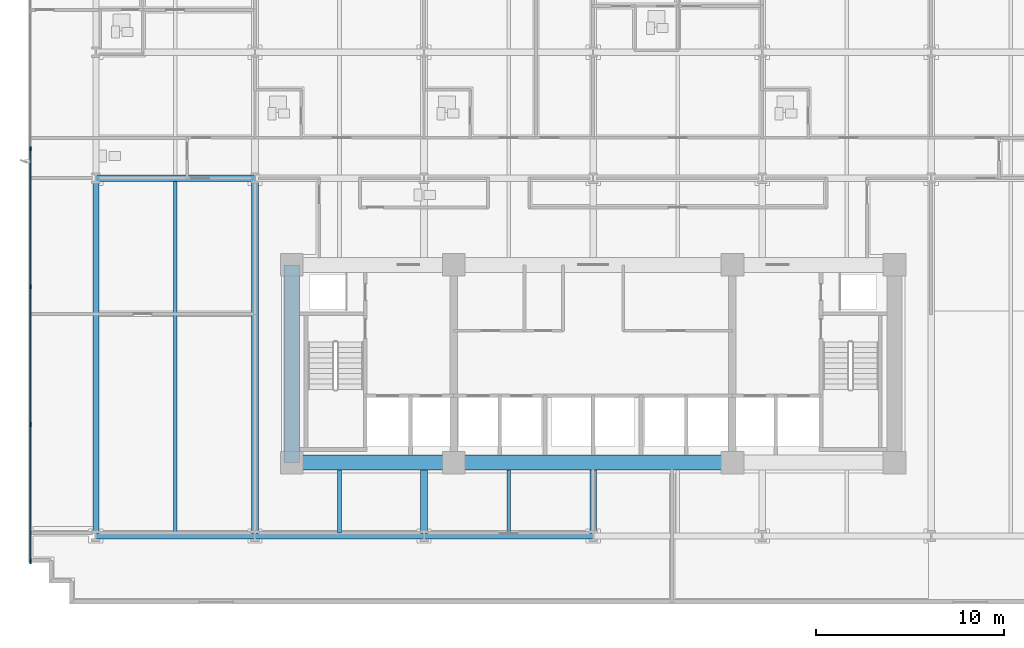
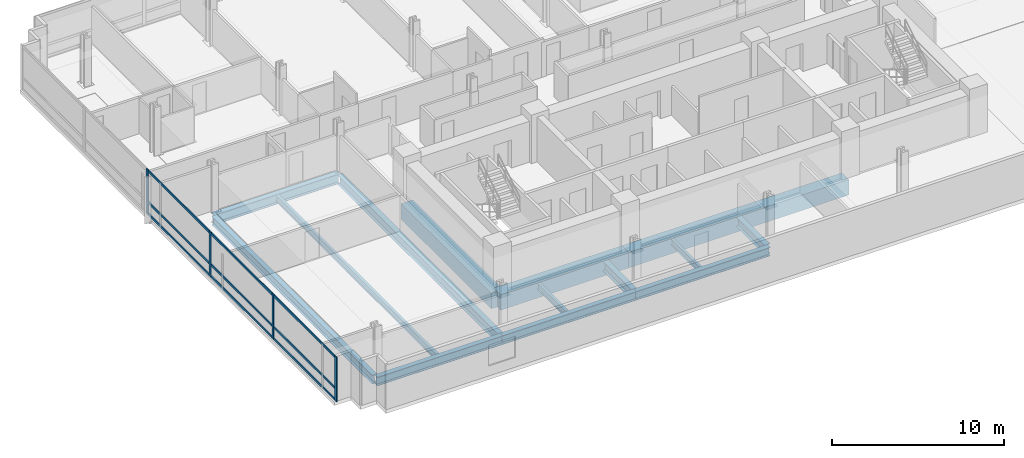
# One storey, part 2 of 16: 14 beams, 13 members, 1 element without a shape of its own.
"""IFC4 building model written with IfcOpenShell, lengths in metres."""

from ifc_helpers import new_model, si_unit, direction, frame, origin, origin_2d, place, context, subcontext, project, spatial, rectangle, i_section, extrude, material, material_profile, profile_set, type_object, element, aggregate, save


model = new_model("IFC4")

# Units and contexts
model_context = context("Model", 3, precision=1e-05, world=origin(), true_north=direction((0.0, 1.0)))
body_context = subcontext(model_context, "Body", "Model", "MODEL_VIEW")
ifc_project = project(units=[si_unit("LENGTHUNIT", "METRE"), si_unit("AREAUNIT", "SQUARE_METRE"), si_unit("VOLUMEUNIT", "CUBIC_METRE"), si_unit("PLANEANGLEUNIT", "RADIAN"), si_unit("MASSUNIT", "GRAM", prefix="KILO")], contexts=[model_context])

# Site, building, storey
site_placement = place(None, origin())
site = spatial("IfcSite", under=ifc_project, at=site_placement, CompositionType="ELEMENT")
building_placement = place(site_placement, origin())
building = spatial("IfcBuilding", under=site, at=building_placement, Name="Solmavex Isthmus Hotel", CompositionType="ELEMENT")
storey_placement = place(building_placement, frame((0.0, 0.0, 36.75)))
storey = spatial("IfcBuildingStorey", under=building, at=storey_placement, Name="L09", CompositionType="ELEMENT", Elevation=36.75)

# Beams
ifc_material_1 = material(Name="Steel ASTM A992 Grade 50", Category="steel")
ifc_material_profile_1 = material_profile(ifc_material_1, i_section(OverallWidth=0.354736328125, OverallDepth=0.695556640625, WebThickness=0.015380859375, FlangeThickness=0.02490234375, FilletRadius=0.017822265625, at=origin_2d()), Name="W27X146")
ifc_profile_set_1 = profile_set([ifc_material_profile_1], Name="Steel ASTM A992 Grade 50")
beam_type_1 = type_object("IfcBeamType", Name="BM-BG-W27X146", PredefinedType="BEAM", material=ifc_profile_set_1)
beam_1_placement = place(storey_placement, frame((-26.39990234375, 2.10009765625, -0.607666015625), z_axis=(1.0, 0.0, 0.0), x_axis=(0.0, 1.0, 0.0)))
element("IfcBeam", 1, at=beam_1_placement, inside=storey, type_object=beam_type_1, Name="Floor Girder L09-UG07", PredefinedType="BEAM", context=body_context, shape_type="SweptSolid", body=[
    extrude(i_section(OverallWidth=0.354736328125, OverallDepth=0.695556640625, WebThickness=0.015380859375, FlangeThickness=0.02490234375, FilletRadius=0.017822265625, at=origin_2d()), origin(), (0.0, 0.0, 1.0), 8.447998046875),
])
beam_2_placement = place(storey_placement, frame((-17.951904296875, -16.73681640625, -0.607666015625), z_axis=(0.0, 1.0, 0.0), x_axis=(-1.0, 0.0, 0.0)))
element("IfcBeam", 2, at=beam_2_placement, inside=storey, type_object=beam_type_1, Name="Floor Beam L09-VG28", PredefinedType="BEAM", context=body_context, shape_type="SweptSolid", body=[
    extrude(i_section(OverallWidth=0.354736328125, OverallDepth=0.695556640625, WebThickness=0.015380859375, FlangeThickness=0.02490234375, FilletRadius=0.017822265625, at=origin_2d()), origin(), (0.0, 0.0, 1.0), 18.659423828125),
])
for number, where, z_axis, x_axis, name in (
    (3, (-8.97607421875, -16.73681640625, -0.607666015625), (0.0, 1.0, 0.0), (-1.0, 0.0, 0.0), "Floor Beam L09-VG31"),
    (4, (0.0, -16.73681640625, -0.607666015625), (0.0, 1.0, 0.0), (-1.0, 0.0, 0.0), "Floor Beam L09-VG35"),
):
    element("IfcBeam", number, at=place(storey_placement, frame(where, z_axis=z_axis, x_axis=x_axis)), inside=storey, type_object=beam_type_1, Name=name, PredefinedType="BEAM", context=body_context, shape_type="SweptSolid", body=[
        extrude(i_section(OverallWidth=0.354736328125, OverallDepth=0.695556640625, WebThickness=0.015380859375, FlangeThickness=0.02490234375, FilletRadius=0.017822265625, at=origin_2d()), origin(), (0.0, 0.0, 1.0), 3.3369140625),
    ])
ifc_material_profile_2 = material_profile(ifc_material_1, i_section(OverallWidth=0.1904296875, OverallDepth=0.456787109375, WebThickness=0.009033203125, FlangeThickness=0.014404296875, FilletRadius=0.0126953125, at=origin_2d()), Name="W18X50")
ifc_profile_set_2 = profile_set([ifc_material_profile_2], Name="Steel ASTM A992 Grade 50")
beam_type_2 = type_object("IfcBeamType", Name="BM-BJ-W18X50", PredefinedType="JOIST", material=ifc_profile_set_2)
beam_3_placement = place(storey_placement, frame((-22.176025390625, -16.73681640625, -0.488525390625), z_axis=(0.0, 1.0, 0.0), x_axis=(-1.0, 0.0, 0.0)))
element("IfcBeam", 5, at=beam_3_placement, inside=storey, type_object=beam_type_2, Name="Secondary Floor Joist L09-J01", PredefinedType="JOIST", context=body_context, shape_type="SweptSolid", body=[
    extrude(i_section(OverallWidth=0.1904296875, OverallDepth=0.456787109375, WebThickness=0.009033203125, FlangeThickness=0.014404296875, FilletRadius=0.0126953125, at=origin_2d()), origin(), (0.0, 0.0, 1.0), 18.659423828125),
])
for number, where, z_axis, x_axis, name in (
    (6, (-13.464111328125, -16.73681640625, -0.488525390625), (0.0, 1.0, 0.0), (-1.0, 0.0, 0.0), "Secondary Floor Joist L09-J04"),
    (7, (-4.488037109375, -16.73681640625, -0.488525390625), (0.0, 1.0, 0.0), (-1.0, 0.0, 0.0), "Secondary Floor Joist L09-J08"),
):
    element("IfcBeam", number, at=place(storey_placement, frame(where, z_axis=z_axis, x_axis=x_axis)), inside=storey, type_object=beam_type_2, Name=name, PredefinedType="JOIST", context=body_context, shape_type="SweptSolid", body=[
        extrude(i_section(OverallWidth=0.1904296875, OverallDepth=0.456787109375, WebThickness=0.009033203125, FlangeThickness=0.014404296875, FilletRadius=0.0126953125, at=origin_2d()), origin(), (0.0, 0.0, 1.0), 3.3369140625),
    ])
ifc_material_2 = material(Name="Concrete C70/85", Category="concrete")
ifc_material_profile_3 = material_profile(ifc_material_2, rectangle(XDim=0.800048828125, YDim=1.10009765625, at=origin_2d()), Name="RC800X1100")
ifc_profile_set_3 = profile_set([ifc_material_profile_3], Name="Concrete C70/85")
beam_type_3 = type_object("IfcBeamType", Name="BM-CB-800X1100", PredefinedType="BEAM", material=ifc_profile_set_3)
beam_4_placement = place(storey_placement, frame((-16.0, -13.0, -0.81005859375), z_axis=(1.0, 0.0, 0.0), x_axis=(0.0, 1.0, 0.0)))
element("IfcBeam", 8, at=beam_4_placement, inside=storey, type_object=beam_type_3, Name="Core Coupling Beam L09-CB1", PredefinedType="BEAM", context=body_context, shape_type="SweptSolid", body=[
    extrude(rectangle(XDim=0.800048828125, YDim=1.10009765625, at=origin_2d()), origin(), (0.0, 0.0, 1.0), 8.60009765625),
])
beam_5_placement = place(storey_placement, frame((-7.39990234375, -13.0, -0.81005859375), z_axis=(1.0, 0.0, 0.0), x_axis=(0.0, 1.0, 0.0)))
element("IfcBeam", 9, at=beam_5_placement, inside=storey, type_object=beam_type_3, Name="Core Coupling Beam L09-CB2", PredefinedType="BEAM", context=body_context, shape_type="SweptSolid", body=[
    extrude(rectangle(XDim=0.800048828125, YDim=1.10009765625, at=origin_2d()), origin(), (0.0, 0.0, 1.0), 14.7998046875),
])
beam_6_placement = place(storey_placement, frame((-16.0, -13.0, -0.81005859375), z_axis=(0.0, 1.0, 0.0), x_axis=(-1.0, 0.0, 0.0)))
element("IfcBeam", 10, at=beam_6_placement, inside=storey, type_object=beam_type_3, Name="Core Coupling Beam L09-CB7", PredefinedType="BEAM", context=body_context, shape_type="SweptSolid", body=[
    extrude(rectangle(XDim=0.800048828125, YDim=1.10009765625, at=origin_2d()), origin(), (0.0, 0.0, 1.0), 10.5),
])
ifc_material_profile_4 = material_profile(ifc_material_1, i_section(OverallWidth=0.326416015625, OverallDepth=0.621826171875, WebThickness=0.015380859375, FlangeThickness=0.0244140625, FilletRadius=0.01513671875, at=origin_2d()), Name="W24X131")
ifc_profile_set_4 = profile_set([ifc_material_profile_4], Name="Steel ASTM A992 Grade 50")
beam_type_4 = type_object("IfcBeamType", Name="BM-SP-W24X131", PredefinedType="SPANDREL", material=ifc_profile_set_4)
beam_7_placement = place(storey_placement, frame((-26.39990234375, -16.89990234375, -0.57080078125), z_axis=(1.0, 0.0, 0.0), x_axis=(0.0, 1.0, 0.0)))
element("IfcBeam", 11, at=beam_7_placement, inside=storey, type_object=beam_type_4, Name="Floor Girder L09-UG01", PredefinedType="SPANDREL", context=body_context, shape_type="SweptSolid", body=[
    extrude(i_section(OverallWidth=0.326416015625, OverallDepth=0.621826171875, WebThickness=0.015380859375, FlangeThickness=0.0244140625, FilletRadius=0.01513671875, at=origin_2d()), origin(), (0.0, 0.0, 1.0), 8.447998046875),
])
beam_8_placement = place(storey_placement, frame((-17.951904296875, -16.89990234375, -0.57080078125), z_axis=(1.0, 0.0, 0.0), x_axis=(0.0, 1.0, 0.0)))
element("IfcBeam", 12, at=beam_8_placement, inside=storey, type_object=beam_type_4, Name="Floor Girder L09-UG02", PredefinedType="SPANDREL", context=body_context, shape_type="SweptSolid", body=[
    extrude(i_section(OverallWidth=0.326416015625, OverallDepth=0.621826171875, WebThickness=0.015380859375, FlangeThickness=0.0244140625, FilletRadius=0.01513671875, at=origin_2d()), origin(), (0.0, 0.0, 1.0), 8.975830078125),
])
beam_9_placement = place(storey_placement, frame((-8.97607421875, -16.89990234375, -0.57080078125), z_axis=(1.0, 0.0, 0.0), x_axis=(0.0, 1.0, 0.0)))
element("IfcBeam", 13, at=beam_9_placement, inside=storey, type_object=beam_type_4, Name="Floor Girder L09-UG03", PredefinedType="SPANDREL", context=body_context, shape_type="SweptSolid", body=[
    extrude(i_section(OverallWidth=0.326416015625, OverallDepth=0.621826171875, WebThickness=0.015380859375, FlangeThickness=0.0244140625, FilletRadius=0.01513671875, at=origin_2d()), origin(), (0.0, 0.0, 1.0), 8.97607421875),
])
beam_10_placement = place(storey_placement, frame((-26.39990234375, -16.73681640625, -0.57080078125), z_axis=(0.0, 1.0, 0.0), x_axis=(-1.0, 0.0, 0.0)))
element("IfcBeam", 14, at=beam_10_placement, inside=storey, type_object=beam_type_4, Name="Floor Beam L09-VG25", PredefinedType="SPANDREL", context=body_context, shape_type="SweptSolid", body=[
    extrude(i_section(OverallWidth=0.326416015625, OverallDepth=0.621826171875, WebThickness=0.015380859375, FlangeThickness=0.0244140625, FilletRadius=0.01513671875, at=origin_2d()), origin(), (0.0, 0.0, 1.0), 18.659423828125),
])

# Curtain wall, members
ifc_material_3 = material(Name="Aluminium alloy 6063-T6", Category="aluminium")
curtain_wall_type = type_object("IfcCurtainWallType", Name="CW-SYS-02", PredefinedType="NOTDEFINED", material=ifc_material_3)
curtain_wall_placement = place(storey_placement, origin())
curtain_wall = element("IfcCurtainWall", 15, at=curtain_wall_placement, inside=storey, type_object=curtain_wall_type, Name="Stick Curtain Wall CWL-L09-W1", PredefinedType="NOTDEFINED")
ifc_material_profile_5 = material_profile(ifc_material_3, rectangle(XDim=0.074951171875, YDim=0.219970703125, at=origin_2d()), Name="CWM-75X220")
ifc_profile_set_5 = profile_set([ifc_material_profile_5], Name="Aluminium alloy 6063-T6")
member_type_1 = type_object("IfcMemberType", Name="CW-SYS-02-MUL", PredefinedType="MULLION", material=ifc_profile_set_5)
member_1_placement = place(storey_placement, frame((-29.8798828125, -18.262451171875, 0.0), z_axis=(0.0, 0.0, 1.0), x_axis=(-1.0, 0.0, 0.0)))
member_1 = element("IfcMember", 16, at=member_1_placement, type_object=member_type_1, Name="CW-02 mullion 1", PredefinedType="MULLION", context=body_context, shape_type="SweptSolid", body=[
    extrude(rectangle(XDim=0.074951171875, YDim=0.219970703125, at=origin_2d()), origin(), (0.0, 0.0, 1.0), 3.18994140625),
])
member_2_placement = place(storey_placement, frame((-29.8798828125, -10.97998046875, 0.0), z_axis=(0.0, 0.0, 1.0), x_axis=(-1.0, 0.0, 0.0)))
member_2 = element("IfcMember", 17, at=member_2_placement, type_object=member_type_1, Name="CW-02 mullion 2", PredefinedType="MULLION", context=body_context, shape_type="SweptSolid", body=[
    extrude(rectangle(XDim=0.074951171875, YDim=0.219970703125, at=origin_2d()), origin(), (0.0, 0.0, 1.0), 3.18994140625),
])
member_3_placement = place(storey_placement, frame((-29.8798828125, -3.659912109375, 0.0), z_axis=(0.0, 0.0, 1.0), x_axis=(-1.0, 0.0, 0.0)))
member_3 = element("IfcMember", 18, at=member_3_placement, type_object=member_type_1, Name="CW-02 mullion 3", PredefinedType="MULLION", context=body_context, shape_type="SweptSolid", body=[
    extrude(rectangle(XDim=0.074951171875, YDim=0.219970703125, at=origin_2d()), origin(), (0.0, 0.0, 1.0), 3.18994140625),
])
member_4_placement = place(storey_placement, frame((-29.8798828125, 3.659912109375, 0.0), z_axis=(0.0, 0.0, 1.0), x_axis=(-1.0, 0.0, 0.0)))
member_4 = element("IfcMember", 19, at=member_4_placement, type_object=member_type_1, Name="CW-02 mullion 4", PredefinedType="MULLION", context=body_context, shape_type="SweptSolid", body=[
    extrude(rectangle(XDim=0.074951171875, YDim=0.219970703125, at=origin_2d()), origin(), (0.0, 0.0, 1.0), 3.18994140625),
])
ifc_material_profile_6 = material_profile(ifc_material_3, rectangle(XDim=0.074951171875, YDim=0.159912109375, at=origin_2d()), Name="CWT-75X160")
ifc_profile_set_6 = profile_set([ifc_material_profile_6], Name="Aluminium alloy 6063-T6")
member_type_2 = type_object("IfcMemberType", Name="CW-SYS-02-TRN", PredefinedType="USERDEFINED", material=ifc_profile_set_6)
member_5_placement = place(storey_placement, frame((-29.8798828125, -18.22509765625, 0.080078125), z_axis=(0.0, 1.0, 0.0), x_axis=(-1.0, 0.0, 0.0)))
member_5 = element("IfcMember", 20, at=member_5_placement, type_object=member_type_2, Name="CW-02 transom 1.1", ObjectType="TRANSOM", PredefinedType="USERDEFINED", context=body_context, shape_type="SweptSolid", body=[
    extrude(rectangle(XDim=0.074951171875, YDim=0.159912109375, at=origin_2d()), origin(), (0.0, 0.0, 1.0), 7.20751953125),
])
member_6_placement = place(storey_placement, frame((-29.8798828125, -18.22509765625, 0.89990234375), z_axis=(0.0, 1.0, 0.0), x_axis=(-1.0, 0.0, 0.0)))
member_6 = element("IfcMember", 21, at=member_6_placement, type_object=member_type_2, Name="CW-02 transom 1.2", ObjectType="TRANSOM", PredefinedType="USERDEFINED", context=body_context, shape_type="SweptSolid", body=[
    extrude(rectangle(XDim=0.074951171875, YDim=0.159912109375, at=origin_2d()), origin(), (0.0, 0.0, 1.0), 7.20751953125),
])
member_7_placement = place(storey_placement, frame((-29.8798828125, -18.22509765625, 3.110107421875), z_axis=(0.0, 1.0, 0.0), x_axis=(-1.0, 0.0, 0.0)))
member_7 = element("IfcMember", 22, at=member_7_placement, type_object=member_type_2, Name="CW-02 transom 1.3", ObjectType="TRANSOM", PredefinedType="USERDEFINED", context=body_context, shape_type="SweptSolid", body=[
    extrude(rectangle(XDim=0.074951171875, YDim=0.159912109375, at=origin_2d()), origin(), (0.0, 0.0, 1.0), 7.20751953125),
])
member_8_placement = place(storey_placement, frame((-29.8798828125, -10.9423828125, 0.080078125), z_axis=(0.0, 1.0, 0.0), x_axis=(-1.0, 0.0, 0.0)))
member_8 = element("IfcMember", 23, at=member_8_placement, type_object=member_type_2, Name="CW-02 transom 2.1", ObjectType="TRANSOM", PredefinedType="USERDEFINED", context=body_context, shape_type="SweptSolid", body=[
    extrude(rectangle(XDim=0.074951171875, YDim=0.159912109375, at=origin_2d()), origin(), (0.0, 0.0, 1.0), 7.244873046875),
])
member_9_placement = place(storey_placement, frame((-29.8798828125, -10.9423828125, 0.89990234375), z_axis=(0.0, 1.0, 0.0), x_axis=(-1.0, 0.0, 0.0)))
member_9 = element("IfcMember", 24, at=member_9_placement, type_object=member_type_2, Name="CW-02 transom 2.2", ObjectType="TRANSOM", PredefinedType="USERDEFINED", context=body_context, shape_type="SweptSolid", body=[
    extrude(rectangle(XDim=0.074951171875, YDim=0.159912109375, at=origin_2d()), origin(), (0.0, 0.0, 1.0), 7.244873046875),
])
member_10_placement = place(storey_placement, frame((-29.8798828125, -10.9423828125, 3.110107421875), z_axis=(0.0, 1.0, 0.0), x_axis=(-1.0, 0.0, 0.0)))
member_10 = element("IfcMember", 25, at=member_10_placement, type_object=member_type_2, Name="CW-02 transom 2.3", ObjectType="TRANSOM", PredefinedType="USERDEFINED", context=body_context, shape_type="SweptSolid", body=[
    extrude(rectangle(XDim=0.074951171875, YDim=0.159912109375, at=origin_2d()), origin(), (0.0, 0.0, 1.0), 7.244873046875),
])
member_11_placement = place(storey_placement, frame((-29.8798828125, -3.62255859375, 0.080078125), z_axis=(0.0, 1.0, 0.0), x_axis=(-1.0, 0.0, 0.0)))
member_11 = element("IfcMember", 26, at=member_11_placement, type_object=member_type_2, Name="CW-02 transom 3.1", ObjectType="TRANSOM", PredefinedType="USERDEFINED", context=body_context, shape_type="SweptSolid", body=[
    extrude(rectangle(XDim=0.074951171875, YDim=0.159912109375, at=origin_2d()), origin(), (0.0, 0.0, 1.0), 7.2451171875),
])
member_12_placement = place(storey_placement, frame((-29.8798828125, -3.62255859375, 0.89990234375), z_axis=(0.0, 1.0, 0.0), x_axis=(-1.0, 0.0, 0.0)))
member_12 = element("IfcMember", 27, at=member_12_placement, type_object=member_type_2, Name="CW-02 transom 3.2", ObjectType="TRANSOM", PredefinedType="USERDEFINED", context=body_context, shape_type="SweptSolid", body=[
    extrude(rectangle(XDim=0.074951171875, YDim=0.159912109375, at=origin_2d()), origin(), (0.0, 0.0, 1.0), 7.2451171875),
])
member_13_placement = place(storey_placement, frame((-29.8798828125, -3.62255859375, 3.110107421875), z_axis=(0.0, 1.0, 0.0), x_axis=(-1.0, 0.0, 0.0)))
member_13 = element("IfcMember", 28, at=member_13_placement, type_object=member_type_2, Name="CW-02 transom 3.3", ObjectType="TRANSOM", PredefinedType="USERDEFINED", context=body_context, shape_type="SweptSolid", body=[
    extrude(rectangle(XDim=0.074951171875, YDim=0.159912109375, at=origin_2d()), origin(), (0.0, 0.0, 1.0), 7.2451171875),
])
aggregate(curtain_wall, [member_1, member_2, member_3, member_4, member_5, member_6, member_7, member_8, member_9, member_10, member_11, member_12, member_13])

save(model, "model.ifc")
